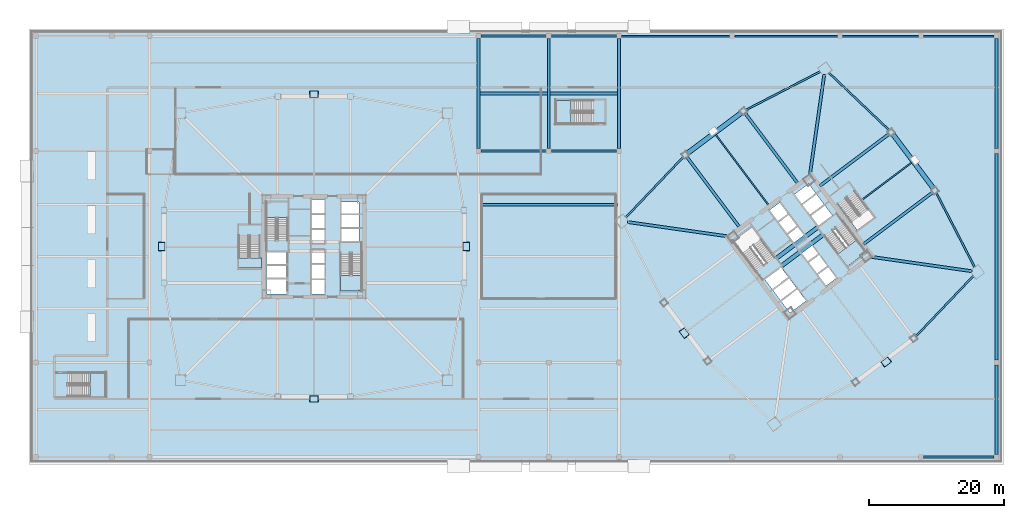
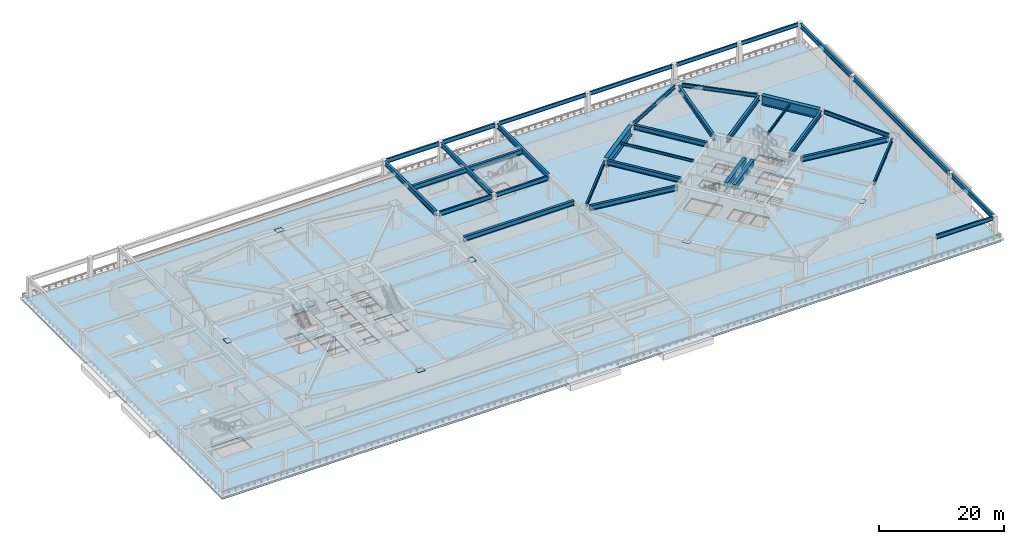
# One storey, part 4 of 21: 35 beams, 12 plates, 7 slabs, 6 elements without a shape of their own.
"""IFC4 building model written with IfcOpenShell, lengths in metres."""

from ifc_helpers import new_model, si_unit, direction, frame, origin, origin_2d, place, context, subcontext, project, spatial, polyline, rectangle, i_section, outline, extrude, material, layer, layer_set, material_profile, profile_set, type_object, element, aggregate, save


model = new_model("IFC4")

# Units and contexts
model_context = context("Model", 3, precision=1e-05, world=origin(), true_north=direction((0.0, 1.0)))
body_context = subcontext(model_context, "Body", "Model", "MODEL_VIEW")
ifc_project = project(units=[si_unit("LENGTHUNIT", "METRE"), si_unit("AREAUNIT", "SQUARE_METRE"), si_unit("VOLUMEUNIT", "CUBIC_METRE"), si_unit("PLANEANGLEUNIT", "RADIAN"), si_unit("MASSUNIT", "GRAM", prefix="KILO")], contexts=[model_context])

# Site, building, storey
site_placement = place(None, origin())
site = spatial("IfcSite", under=ifc_project, at=site_placement, CompositionType="ELEMENT")
building_placement = place(site_placement, origin())
building = spatial("IfcBuilding", under=site, at=building_placement, Name="Tashvorn Skyway Center", CompositionType="ELEMENT")
storey_placement = place(building_placement, frame((0.0, 0.0, 19.800048828125)))
storey = spatial("IfcBuildingStorey", under=building, at=storey_placement, Name="L04", CompositionType="ELEMENT", Elevation=19.800048828125)

# Beams
ifc_material_1 = material(Name="Steel ASTM A572 Grade 50", Category="steel")
ifc_material_profile_1 = material_profile(ifc_material_1, i_section(OverallWidth=0.699951171875, OverallDepth=1.800048828125, WebThickness=0.031982421875, FlangeThickness=0.050048828125, at=origin_2d()), Name="PG1800x700")
ifc_profile_set_1 = profile_set([ifc_material_profile_1], Name="Steel ASTM A572 Grade 50")
beam_type_1 = type_object("IfcBeamType", Name="BM-BEAM-PG1800x700", PredefinedType="BEAM", material=ifc_profile_set_1)
for number, where, z_axis, x_axis, name in (
    (1, (133.827880859375, 40.64599609375, 3.699951171875), (-0.599988234018, 0.800008824351, 0.0), (-0.800008824351, -0.599988234018, 0.0), "Tower 2 L04 Spandrel Beam 05"),
    (2, (105.35400390625, 51.827880859375, 3.699951171875), (-0.800008824351, -0.599988234018, 0.0), (0.599988234018, -0.800008824351, 0.0), "Tower 2 L04 Spandrel Beam 08"),
):
    element("IfcBeam", number, at=place(storey_placement, frame(where, z_axis=z_axis, x_axis=x_axis)), inside=storey, type_object=beam_type_1, Name=name, PredefinedType="BEAM", context=body_context, shape_type="SweptSolid", body=[
        extrude(i_section(OverallWidth=0.699951171875, OverallDepth=1.800048828125, WebThickness=0.031982421875, FlangeThickness=0.050048828125, at=origin_2d()), origin(), (0.0, 0.0, 1.0), 9.9599609375),
    ])
ifc_material_2 = material(Name="Steel ASTM A992 Grade 50", Category="steel")
ifc_material_profile_2 = material_profile(ifc_material_2, i_section(OverallWidth=0.26708984375, OverallDepth=0.779052734375, WebThickness=0.0166015625, FlangeThickness=0.030029296875, at=origin_2d()), Name="W30X148")
ifc_profile_set_2 = profile_set([ifc_material_profile_2], Name="Steel ASTM A992 Grade 50")
beam_type_2 = type_object("IfcBeamType", Name="BM-BEAM-W30X148", PredefinedType="BEAM", material=ifc_profile_set_2)
beam_1_placement = place(storey_placement, frame((87.580078125, 63.199951171875, 4.21044921875), z_axis=(1.0, 0.0, 0.0), x_axis=(0.0, 1.0, 0.0)))
element("IfcBeam", 3, at=beam_1_placement, inside=storey, type_object=beam_type_2, Name="L04 East Podium Edge Girder N1", PredefinedType="BEAM", context=body_context, shape_type="SweptSolid", body=[
    extrude(i_section(OverallWidth=0.26708984375, OverallDepth=0.779052734375, WebThickness=0.0166015625, FlangeThickness=0.030029296875, at=origin_2d()), origin(), (0.0, 0.0, 1.0), 16.0400390625),
])
beam_2_placement = place(storey_placement, frame((104.3798828125, 63.199951171875, 4.21044921875), z_axis=(1.0, 0.0, 0.0), x_axis=(0.0, 1.0, 0.0)))
element("IfcBeam", 4, at=beam_2_placement, inside=storey, type_object=beam_type_2, Name="L04 East Podium Edge Girder N2", PredefinedType="BEAM", context=body_context, shape_type="SweptSolid", body=[
    extrude(i_section(OverallWidth=0.26708984375, OverallDepth=0.779052734375, WebThickness=0.0166015625, FlangeThickness=0.030029296875, at=origin_2d()), origin(), (0.0, 0.0, 1.0), 15.240234375),
])
beam_3_placement = place(storey_placement, frame((120.3798828125, 63.199951171875, 4.21044921875), z_axis=(1.0, 0.0, 0.0), x_axis=(0.0, 1.0, 0.0)))
element("IfcBeam", 5, at=beam_3_placement, inside=storey, type_object=beam_type_2, Name="L04 East Podium Edge Girder N3", PredefinedType="BEAM", context=body_context, shape_type="SweptSolid", body=[
    extrude(i_section(OverallWidth=0.26708984375, OverallDepth=0.779052734375, WebThickness=0.0166015625, FlangeThickness=0.030029296875, at=origin_2d()), origin(), (0.0, 0.0, 1.0), 11.240234375),
])
for number, where, z_axis, x_axis, name in (
    (6, (132.3798828125, 0.800048828125, 4.21044921875), (1.0, 0.0, 0.0), (0.0, 1.0, 0.0), "L04 East Podium Edge Girder S4"),
    (7, (132.3798828125, 63.199951171875, 4.21044921875), (1.0, 0.0, 0.0), (0.0, 1.0, 0.0), "L04 East Podium Edge Girder N4"),
):
    element("IfcBeam", number, at=place(storey_placement, frame(where, z_axis=z_axis, x_axis=x_axis)), inside=storey, type_object=beam_type_2, Name=name, PredefinedType="BEAM", context=body_context, shape_type="SweptSolid", body=[
        extrude(i_section(OverallWidth=0.26708984375, OverallDepth=0.779052734375, WebThickness=0.0166015625, FlangeThickness=0.030029296875, at=origin_2d()), origin(), (0.0, 0.0, 1.0), 10.440185546875),
    ])
ifc_material_profile_3 = material_profile(ifc_material_2, i_section(OverallWidth=0.2919921875, OverallDepth=0.85888671875, WebThickness=0.01708984375, FlangeThickness=0.031005859375, at=origin_2d()), Name="W33X169")
ifc_profile_set_3 = profile_set([ifc_material_profile_3], Name="Steel ASTM A992 Grade 50")
beam_type_3 = type_object("IfcBeamType", Name="BM-BEAM-W33X169", PredefinedType="BEAM", material=ifc_profile_set_3)
beam_4_placement = place(storey_placement, frame((66.77001953125, 46.199951171875, 4.17041015625), z_axis=(1.0, 0.0, 0.0), x_axis=(0.0, 1.0, 0.0)))
element("IfcBeam", 8, at=beam_4_placement, inside=storey, type_object=beam_type_3, Name="L04 Central Podium Girder A 07", PredefinedType="BEAM", context=body_context, shape_type="SweptSolid", body=[
    extrude(i_section(OverallWidth=0.2919921875, OverallDepth=0.85888671875, WebThickness=0.01708984375, FlangeThickness=0.031005859375, at=origin_2d()), origin(), (0.0, 0.0, 1.0), 9.659912109375),
])
beam_5_placement = place(storey_placement, frame((77.169921875, 46.199951171875, 4.17041015625), z_axis=(1.0, 0.0, 0.0), x_axis=(0.0, 1.0, 0.0)))
element("IfcBeam", 9, at=beam_5_placement, inside=storey, type_object=beam_type_3, Name="L04 Central Podium Girder B 07", PredefinedType="BEAM", context=body_context, shape_type="SweptSolid", body=[
    extrude(i_section(OverallWidth=0.2919921875, OverallDepth=0.85888671875, WebThickness=0.01708984375, FlangeThickness=0.031005859375, at=origin_2d()), origin(), (0.0, 0.0, 1.0), 9.66015625),
])
beam_6_placement = place(storey_placement, frame((66.77001953125, 63.199951171875, 4.17041015625), z_axis=(1.0, 0.0, 0.0), x_axis=(0.0, 1.0, 0.0)))
element("IfcBeam", 10, at=beam_6_placement, inside=storey, type_object=beam_type_3, Name="L04 Central Podium Girder A 09", PredefinedType="BEAM", context=body_context, shape_type="SweptSolid", body=[
    extrude(i_section(OverallWidth=0.2919921875, OverallDepth=0.85888671875, WebThickness=0.01708984375, FlangeThickness=0.031005859375, at=origin_2d()), origin(), (0.0, 0.0, 1.0), 9.659912109375),
])
beam_7_placement = place(storey_placement, frame((77.169921875, 63.199951171875, 4.17041015625), z_axis=(1.0, 0.0, 0.0), x_axis=(0.0, 1.0, 0.0)))
element("IfcBeam", 11, at=beam_7_placement, inside=storey, type_object=beam_type_3, Name="L04 Central Podium Girder B 09", PredefinedType="BEAM", context=body_context, shape_type="SweptSolid", body=[
    extrude(i_section(OverallWidth=0.2919921875, OverallDepth=0.85888671875, WebThickness=0.01708984375, FlangeThickness=0.031005859375, at=origin_2d()), origin(), (0.0, 0.0, 1.0), 9.66015625),
])
ifc_material_3 = material(Name="Steel ASTM A913 Grade 65", Category="steel")
ifc_material_profile_4 = material_profile(ifc_material_3, i_section(OverallWidth=0.4189453125, OverallDepth=0.927001953125, WebThickness=0.019287109375, FlangeThickness=0.031982421875, at=origin_2d()), Name="W36X231")
ifc_profile_set_4 = profile_set([ifc_material_profile_4], Name="Steel ASTM A913 Grade 65")
beam_type_4 = type_object("IfcBeamType", Name="BM-BEAM-W36X231", PredefinedType="BEAM", material=ifc_profile_set_4)
for number, where, z_axis, x_axis, name in (
    (12, (139.532958984375, 28.3525390625, 4.136474609375), (-0.989950458816, 0.141414599991, 0.0), (-0.141414599991, -0.989950458816, 0.0), "Tower 2 L04 Primary Floor Girder MC-SE"),
    (13, (117.6474609375, 57.532958984375, 4.136474609375), (-0.141414599991, -0.989950458816, 0.0), (0.989950458816, -0.141414599991, 0.0), "Tower 2 L04 Primary Floor Girder MC-NE"),
    (14, (88.467041015625, 35.6474609375, 4.136474609375), (0.989950458816, -0.141414599991, 0.0), (0.141414599991, 0.989950458816, 0.0), "Tower 2 L04 Primary Floor Girder MC-NW"),
):
    element("IfcBeam", number, at=place(storey_placement, frame(where, z_axis=z_axis, x_axis=x_axis)), inside=storey, type_object=beam_type_4, Name=name, PredefinedType="BEAM", context=body_context, shape_type="SweptSolid", body=[
        extrude(i_section(OverallWidth=0.4189453125, OverallDepth=0.927001953125, WebThickness=0.019287109375, FlangeThickness=0.031982421875, at=origin_2d()), origin(), (0.0, 0.0, 1.0), 15.177001953125),
    ])
beam_8_placement = place(storey_placement, frame((133.743896484375, 40.05810546875, 4.136474609375), z_axis=(-0.799986320265, -0.600018239213, 0.0), x_axis=(0.600018239213, -0.799986320265, 0.0)))
element("IfcBeam", 15, at=beam_8_placement, inside=storey, type_object=beam_type_4, Name="Tower 2 L04 Primary Floor Girder FC-E1", PredefinedType="BEAM", context=body_context, shape_type="SweptSolid", body=[
    extrude(i_section(OverallWidth=0.4189453125, OverallDepth=0.927001953125, WebThickness=0.019287109375, FlangeThickness=0.031982421875, at=origin_2d()), origin(), (0.0, 0.0, 1.0), 12.849853515625),
])
beam_9_placement = place(storey_placement, frame((127.263916015625, 48.697998046875, 4.136474609375), z_axis=(-0.800002279907, -0.599996960112, 0.0), x_axis=(0.599996960112, -0.800002279907, 0.0)))
element("IfcBeam", 16, at=beam_9_placement, inside=storey, type_object=beam_type_4, Name="Tower 2 L04 Primary Floor Girder FC-E2", PredefinedType="BEAM", context=body_context, shape_type="SweptSolid", body=[
    extrude(i_section(OverallWidth=0.4189453125, OverallDepth=0.927001953125, WebThickness=0.019287109375, FlangeThickness=0.031982421875, at=origin_2d()), origin(), (0.0, 0.0, 1.0), 12.85009765625),
])
beam_10_placement = place(storey_placement, frame((105.94189453125, 51.743896484375, 4.136474609375), z_axis=(0.600018239213, -0.799986320265, 0.0), x_axis=(0.799986320265, 0.600018239213, 0.0)))
element("IfcBeam", 17, at=beam_10_placement, inside=storey, type_object=beam_type_4, Name="Tower 2 L04 Primary Floor Girder FC-N1", PredefinedType="BEAM", context=body_context, shape_type="SweptSolid", body=[
    extrude(i_section(OverallWidth=0.4189453125, OverallDepth=0.927001953125, WebThickness=0.019287109375, FlangeThickness=0.031982421875, at=origin_2d()), origin(), (0.0, 0.0, 1.0), 12.849853515625),
])
beam_11_placement = place(storey_placement, frame((97.302001953125, 45.263916015625, 4.136474609375), z_axis=(0.599996960112, -0.800002279907, 0.0), x_axis=(0.800002279907, 0.599996960112, 0.0)))
element("IfcBeam", 18, at=beam_11_placement, inside=storey, type_object=beam_type_4, Name="Tower 2 L04 Primary Floor Girder FC-N2", PredefinedType="BEAM", context=body_context, shape_type="SweptSolid", body=[
    extrude(i_section(OverallWidth=0.4189453125, OverallDepth=0.927001953125, WebThickness=0.019287109375, FlangeThickness=0.031982421875, at=origin_2d()), origin(), (0.0, 0.0, 1.0), 12.85009765625),
])
for number, where, z_axis, x_axis, name in (
    (19, (66.39990234375, 46.570068359375, 4.136474609375), (0.0, 1.0, 0.0), (-1.0, 0.0, 0.0), "L04 North-South Podium Girder 03-N"),
    (20, (76.800048828125, 46.570068359375, 4.136474609375), (0.0, 1.0, 0.0), (-1.0, 0.0, 0.0), "L04 North-South Podium Girder 04-N"),
    (21, (87.199951171875, 46.570068359375, 4.136474609375), (0.0, 1.0, 0.0), (-1.0, 0.0, 0.0), "L04 North-South Podium Girder 05-N"),
):
    element("IfcBeam", number, at=place(storey_placement, frame(where, z_axis=z_axis, x_axis=x_axis)), inside=storey, type_object=beam_type_4, Name=name, PredefinedType="BEAM", context=body_context, shape_type="SweptSolid", body=[
        extrude(i_section(OverallWidth=0.4189453125, OverallDepth=0.927001953125, WebThickness=0.019287109375, FlangeThickness=0.031982421875, at=origin_2d()), origin(), (0.0, 0.0, 1.0), 16.260009765625),
    ])
beam_12_placement = place(storey_placement, frame((143.199951171875, 1.169921875, 4.136474609375), z_axis=(0.0, 1.0, 0.0), x_axis=(-1.0, 0.0, 0.0)))
element("IfcBeam", 22, at=beam_12_placement, inside=storey, type_object=beam_type_4, Name="L04 North-South Podium Girder 06-S", PredefinedType="BEAM", context=body_context, shape_type="SweptSolid", body=[
    extrude(i_section(OverallWidth=0.4189453125, OverallDepth=0.927001953125, WebThickness=0.019287109375, FlangeThickness=0.031982421875, at=origin_2d()), origin(), (0.0, 0.0, 1.0), 13.260009765625),
])
beam_13_placement = place(storey_placement, frame((143.199951171875, 15.169921875, 4.136474609375), z_axis=(0.0, 1.0, 0.0), x_axis=(-1.0, 0.0, 0.0)))
element("IfcBeam", 23, at=beam_13_placement, inside=storey, type_object=beam_type_4, Name="L04 North-South Podium Girder 06-M", PredefinedType="BEAM", context=body_context, shape_type="SweptSolid", body=[
    extrude(i_section(OverallWidth=0.4189453125, OverallDepth=0.927001953125, WebThickness=0.019287109375, FlangeThickness=0.031982421875, at=origin_2d()), origin(), (0.0, 0.0, 1.0), 30.66015625),
])
beam_14_placement = place(storey_placement, frame((143.199951171875, 46.570068359375, 4.136474609375), z_axis=(0.0, 1.0, 0.0), x_axis=(-1.0, 0.0, 0.0)))
element("IfcBeam", 24, at=beam_14_placement, inside=storey, type_object=beam_type_4, Name="L04 North-South Podium Girder 06-N", PredefinedType="BEAM", context=body_context, shape_type="SweptSolid", body=[
    extrude(i_section(OverallWidth=0.4189453125, OverallDepth=0.927001953125, WebThickness=0.019287109375, FlangeThickness=0.031982421875, at=origin_2d()), origin(), (0.0, 0.0, 1.0), 16.260009765625),
])
for number, where, z_axis, x_axis, name in (
    (25, (66.6015625, 38.199951171875, 4.136474609375), (1.0, 0.0, 0.0), (0.0, 1.0, 0.0), "L04 Central Concourse Span Girder 06"),
    (26, (66.6015625, 54.699951171875, 4.136474609375), (1.0, 0.0, 0.0), (0.0, 1.0, 0.0), "L04 Central Concourse Span Girder 08"),
):
    element("IfcBeam", number, at=place(storey_placement, frame(where, z_axis=z_axis, x_axis=x_axis)), inside=storey, type_object=beam_type_4, Name=name, PredefinedType="BEAM", context=body_context, shape_type="SweptSolid", body=[
        extrude(i_section(OverallWidth=0.4189453125, OverallDepth=0.927001953125, WebThickness=0.019287109375, FlangeThickness=0.031982421875, at=origin_2d()), origin(), (0.0, 0.0, 1.0), 20.39697265625),
    ])
ifc_material_profile_5 = material_profile(ifc_material_2, i_section(OverallWidth=0.19091796875, OverallDepth=0.4599609375, WebThickness=0.010009765625, FlangeThickness=0.01611328125, at=origin_2d()), Name="W18X55")
ifc_profile_set_5 = profile_set([ifc_material_profile_5], Name="Steel ASTM A992 Grade 50")
beam_type_5 = type_object("IfcBeamType", Name="BM-JOIST-W18X55", PredefinedType="JOIST", material=ifc_profile_set_5)
beam_15_placement = place(storey_placement, frame((109.325927734375, 38.23193359375, 4.369873046875), z_axis=(-0.599993952228, 0.800004535793, 0.0), x_axis=(-0.800004535793, -0.599993952228, 0.0)))
element("IfcBeam", 27, at=beam_15_placement, inside=storey, type_object=beam_type_5, Name="Tower 2 L04 Secondary Composite Joist JN", PredefinedType="JOIST", context=body_context, shape_type="SweptSolid", body=[
    extrude(i_section(OverallWidth=0.19091796875, OverallDepth=0.4599609375, WebThickness=0.010009765625, FlangeThickness=0.01611328125, at=origin_2d()), origin(), (0.0, 0.0, 1.0), 12.91796875),
])
beam_16_placement = place(storey_placement, frame((123.3359375, 39.001953125, 4.369873046875), z_axis=(0.8, 0.6, 0.0), x_axis=(-0.6, 0.8, 0.0)))
element("IfcBeam", 28, at=beam_16_placement, inside=storey, type_object=beam_type_5, Name="Tower 2 L04 Secondary Composite Joist JE", PredefinedType="JOIST", context=body_context, shape_type="SweptSolid", body=[
    extrude(i_section(OverallWidth=0.19091796875, OverallDepth=0.4599609375, WebThickness=0.010009765625, FlangeThickness=0.01611328125, at=origin_2d()), origin(), (0.0, 0.0, 1.0), 9.0380859375),
])
ifc_material_4 = material(Name="Concrete C60/75", Category="concrete")
ifc_material_profile_6 = material_profile(ifc_material_4, rectangle(XDim=0.60009765625, YDim=0.949951171875, at=origin_2d()), Name="RCB600x950")
ifc_profile_set_6 = profile_set([ifc_material_profile_6], Name="Concrete C60/75")
beam_type_6 = type_object("IfcBeamType", Name="BM-LINTEL-RCB600x950", PredefinedType="LINTEL", material=ifc_profile_set_6)
for number, where, z_axis, x_axis, name in (
    (29, (110.552001953125, 30.263916015625, 4.125), (0.8, 0.6, 0.0), (-0.6, 0.8, 0.0), "Tower 2 L04 Core Coupling Beam CN"),
    (30, (111.367919921875, 29.176025390625, 4.125), (0.8, 0.6, 0.0), (-0.6, 0.8, 0.0), "Tower 2 L04 Core Coupling Beam CS"),
):
    element("IfcBeam", number, at=place(storey_placement, frame(where, z_axis=z_axis, x_axis=x_axis)), inside=storey, type_object=beam_type_6, Name=name, PredefinedType="LINTEL", context=body_context, shape_type="SweptSolid", body=[
        extrude(rectangle(XDim=0.60009765625, YDim=0.949951171875, at=origin_2d()), origin(), (0.0, 0.0, 1.0), 7.60009765625),
    ])
ifc_material_profile_7 = material_profile(ifc_material_2, i_section(OverallWidth=0.256103515625, OverallDepth=0.693115234375, WebThickness=0.014404296875, FlangeThickness=0.023681640625, at=origin_2d()), Name="W27X114")
ifc_profile_set_7 = profile_set([ifc_material_profile_7], Name="Steel ASTM A992 Grade 50")
beam_type_7 = type_object("IfcBeamType", Name="BM-SPANDREL-W27X114", PredefinedType="SPANDREL", material=ifc_profile_set_7)
for number, where, z_axis, x_axis, name in (
    (31, (131.23974609375, 18.7041015625, 4.25341796875), (0.689589637236, 0.724200339835, 0.0), (-0.724200339835, 0.689589637236, 0.0), "Tower 2 L04 Spandrel Beam 03"),
    (32, (139.954833984375, 28.9462890625, 4.25341796875), (-0.459233413919, 0.888315637339, 0.0), (-0.888315637339, -0.459233413919, 0.0), "Tower 2 L04 Spandrel Beam 04"),
    (33, (127.2958984375, 49.23974609375, 4.25341796875), (-0.724200339835, 0.689589637236, 0.0), (-0.689589637236, -0.724200339835, 0.0), "Tower 2 L04 Spandrel Beam 06"),
    (34, (117.0537109375, 57.954833984375, 4.25341796875), (-0.888315637339, -0.459233413919, 0.0), (0.459233413919, -0.888315637339, 0.0), "Tower 2 L04 Spandrel Beam 07"),
    (35, (96.76025390625, 45.2958984375, 4.25341796875), (-0.689589637236, -0.724200339835, 0.0), (0.724200339835, -0.689589637236, 0.0), "Tower 2 L04 Spandrel Beam 09"),
):
    element("IfcBeam", number, at=place(storey_placement, frame(where, z_axis=z_axis, x_axis=x_axis)), inside=storey, type_object=beam_type_7, Name=name, PredefinedType="SPANDREL", context=body_context, shape_type="SweptSolid", body=[
        extrude(i_section(OverallWidth=0.256103515625, OverallDepth=0.693115234375, WebThickness=0.014404296875, FlangeThickness=0.023681640625, at=origin_2d()), origin(), (0.0, 0.0, 1.0), 12.37255859375),
    ])

# Plates
ifc_layer_1 = layer(ifc_material_1, 0.034912109375)
ifc_layer_set_1 = layer_set([ifc_layer_1], Name="Steel ASTM A572 Grade 50")
plate_type_1 = type_object("IfcPlateType", Name="PLT-CAP-35", PredefinedType="USERDEFINED", material=ifc_layer_set_1)
for number, where, z_axis, x_axis, name in (
    (36, (42.0, 9.419921875, 4.50732421875), (0.0, 0.0, 1.0), (1.0, 0.0, 0.0), "Tower 1 Zone 1 S Hollow-Section End Cap Plate"),
    (37, (64.580078125, 32.0, 4.50732421875), (0.0, 0.0, 1.0), (0.0, 1.0, 0.0), "Tower 1 Zone 1 E Hollow-Section End Cap Plate"),
    (38, (42.0, 54.580078125, 4.50732421875), (0.0, 0.0, 1.0), (-1.0, 0.0, 0.0), "Tower 1 Zone 1 N Hollow-Section End Cap Plate"),
    (39, (19.419921875, 32.0, 4.50732421875), (0.0, 0.0, 1.0), (0.0, -1.0, 0.0), "Tower 1 Zone 1 W Hollow-Section End Cap Plate"),
    (40, (126.827880859375, 14.89599609375, 4.50732421875), (0.0, 0.0, 1.0), (0.799999996291, 0.600000004945, 0.0), "Tower 2 Zone 1 S Hollow-Section End Cap Plate"),
    (41, (96.89599609375, 19.172119140625, 4.50732421875), (0.0, 0.0, 1.0), (0.600000004945, -0.799999996291, 0.0), "Tower 2 Zone 1 W Hollow-Section End Cap Plate"),
):
    element("IfcPlate", number, at=place(storey_placement, frame(where, z_axis=z_axis, x_axis=x_axis)), inside=storey, type_object=plate_type_1, Name=name, ObjectType="END PLATE", PredefinedType="USERDEFINED", context=body_context, shape_type="SweptSolid", body=[
        extrude(rectangle(XDim=1.199951171875, YDim=0.919921875, at=origin_2d()), origin(), (0.0, 0.0, 1.0), 0.034912109375),
    ])
ifc_layer_2 = layer(ifc_material_1, 0.044921875)
ifc_layer_set_2 = layer_set([ifc_layer_2], Name="Steel ASTM A572 Grade 50")
plate_type_2 = type_object("IfcPlateType", Name="PLT-GUSSET-45", PredefinedType="USERDEFINED", material=ifc_layer_set_2)
for number, where, z_axis, x_axis, name in (
    (42, (42.0, 9.419921875, 4.54248046875), (0.0, 0.0, 1.0), (1.0, 0.0, 0.0), "Tower 1 Zone 1 S Apex Node Gusset Plate"),
    (43, (64.580078125, 32.0, 4.54248046875), (0.0, 0.0, 1.0), (0.0, 1.0, 0.0), "Tower 1 Zone 1 E Apex Node Gusset Plate"),
    (44, (42.0, 54.580078125, 4.54248046875), (0.0, 0.0, 1.0), (-1.0, 0.0, 0.0), "Tower 1 Zone 1 N Apex Node Gusset Plate"),
    (45, (19.419921875, 32.0, 4.54248046875), (0.0, 0.0, 1.0), (0.0, -1.0, 0.0), "Tower 1 Zone 1 W Apex Node Gusset Plate"),
    (46, (126.827880859375, 14.89599609375, 4.54248046875), (0.0, 0.0, 1.0), (0.799999996291, 0.600000004945, 0.0), "Tower 2 Zone 1 S Apex Node Gusset Plate"),
    (47, (96.89599609375, 19.172119140625, 4.54248046875), (0.0, 0.0, 1.0), (0.600000004945, -0.799999996291, 0.0), "Tower 2 Zone 1 W Apex Node Gusset Plate"),
):
    element("IfcPlate", number, at=place(storey_placement, frame(where, z_axis=z_axis, x_axis=x_axis)), inside=storey, type_object=plate_type_2, Name=name, ObjectType="GUSSET PLATE", PredefinedType="USERDEFINED", context=body_context, shape_type="SweptSolid", body=[
        extrude(rectangle(XDim=1.35009765625, YDim=0.949951171875, at=origin_2d()), origin(), (0.0, 0.0, 1.0), 0.044921875),
    ])

# Slab
ifc_material_5 = material(Name="Concrete C50/60", Category="concrete")
ifc_layer_3 = layer(ifc_material_5, 0.300048828125)
ifc_layer_set_3 = layer_set([ifc_layer_3], Name="Concrete C50/60")
slab_type_1 = type_object("IfcSlabType", Name="SLAB-FLR-300", PredefinedType="FLOOR", material=ifc_layer_set_3)
slab_1_placement = place(storey_placement, frame((0.0, 0.0, -0.300048828125)))
element("IfcSlab", 48, at=slab_1_placement, inside=storey, type_object=slab_type_1, Name="L04 Podium Composite Structural Floor Slab", PredefinedType="FLOOR", context=body_context, shape_type="SweptSolid", body=[
    extrude(outline(polyline([(0.0, 0.0), (144.0, 0.0), (144.0, 64.0), (0.0, 64.0), (0.0, 0.0)]), holes=[polyline([(38.10009765625, 33.080078125), (38.10009765625, 38.60009765625), (34.89990234375, 38.60009765625), (34.89990234375, 33.080078125), (38.10009765625, 33.080078125)]), polyline([(45.89990234375, 30.919921875), (45.89990234375, 25.39990234375), (49.10009765625, 25.39990234375), (49.10009765625, 30.919921875), (45.89990234375, 30.919921875)]), polyline([(110.23193359375, 30.52392578125), (106.919921875, 34.93994140625), (104.135986328125, 32.85205078125), (107.447998046875, 28.43603515625), (110.23193359375, 30.52392578125)]), polyline([(117.76806640625, 33.47607421875), (121.080078125, 29.06005859375), (123.864013671875, 31.14794921875), (120.552001953125, 35.56396484375), (117.76806640625, 33.47607421875)]), polyline([(30.800048828125, 33.52001953125), (30.800048828125, 28.800048828125), (34.0, 28.800048828125), (34.0, 33.52001953125), (30.800048828125, 33.52001953125)]), polyline([(119.7119140625, 38.18408203125), (122.5439453125, 34.407958984375), (125.10400390625, 36.327880859375), (122.27197265625, 40.10400390625), (119.7119140625, 38.18408203125)]), polyline([(5.610107421875, 9.800048828125), (11.10009765625, 9.800048828125), (11.10009765625, 13.300048828125), (5.610107421875, 13.300048828125), (5.610107421875, 9.800048828125)]), polyline([(83.2900390625, 53.699951171875), (77.800048828125, 53.699951171875), (77.800048828125, 50.199951171875), (83.2900390625, 50.199951171875), (83.2900390625, 53.699951171875)]), polyline([(34.949951171875, 29.35009765625), (37.949951171875, 29.35009765625), (37.949951171875, 31.199951171875), (34.949951171875, 31.199951171875), (34.949951171875, 29.35009765625)]), polyline([(34.949951171875, 27.35009765625), (37.949951171875, 27.35009765625), (37.949951171875, 29.199951171875), (34.949951171875, 29.199951171875), (34.949951171875, 27.35009765625)]), polyline([(34.949951171875, 25.0), (37.949951171875, 25.0), (37.949951171875, 27.14990234375), (34.949951171875, 27.14990234375), (34.949951171875, 25.0)]), polyline([(41.64990234375, 25.0), (43.550048828125, 25.0), (43.550048828125, 27.050048828125), (41.64990234375, 27.050048828125), (41.64990234375, 25.0)]), polyline([(41.64990234375, 27.25), (43.550048828125, 27.25), (43.550048828125, 29.300048828125), (41.64990234375, 29.300048828125), (41.64990234375, 27.25)]), polyline([(41.64990234375, 29.5), (43.550048828125, 29.5), (43.550048828125, 31.550048828125), (41.64990234375, 31.550048828125), (41.64990234375, 29.5)]), polyline([(41.64990234375, 32.449951171875), (43.550048828125, 32.449951171875), (43.550048828125, 34.5), (41.64990234375, 34.5), (41.64990234375, 32.449951171875)]), polyline([(41.64990234375, 34.699951171875), (43.550048828125, 34.699951171875), (43.550048828125, 36.75), (41.64990234375, 36.75), (41.64990234375, 34.699951171875)]), polyline([(41.64990234375, 36.949951171875), (43.550048828125, 36.949951171875), (43.550048828125, 39.0), (41.64990234375, 39.0), (41.64990234375, 36.949951171875)]), polyline([(46.050048828125, 32.800048828125), (48.64990234375, 32.800048828125), (48.64990234375, 34.64990234375), (46.050048828125, 34.64990234375), (46.050048828125, 32.800048828125)]), polyline([(46.050048828125, 34.85009765625), (48.64990234375, 34.85009765625), (48.64990234375, 36.699951171875), (46.050048828125, 36.699951171875), (46.050048828125, 34.85009765625)]), polyline([(46.050048828125, 36.89990234375), (48.64990234375, 36.89990234375), (48.64990234375, 38.64990234375), (46.050048828125, 38.64990234375), (46.050048828125, 36.89990234375)]), polyline([(109.949951171875, 25.64990234375), (112.35009765625, 27.449951171875), (111.239990234375, 28.929931640625), (108.840087890625, 27.1298828125), (109.949951171875, 25.64990234375)]), polyline([(111.14990234375, 24.050048828125), (113.550048828125, 25.85009765625), (112.43994140625, 27.330078125), (110.0400390625, 25.530029296875), (111.14990234375, 24.050048828125)]), polyline([(112.56005859375, 22.169921875), (114.9599609375, 23.969970703125), (113.669921875, 25.68994140625), (111.27001953125, 23.889892578125), (112.56005859375, 22.169921875)]), polyline([(117.919921875, 26.18994140625), (119.43994140625, 27.330078125), (118.2099609375, 28.969970703125), (116.68994140625, 27.830078125), (117.919921875, 26.18994140625)]), polyline([(116.570068359375, 27.989990234375), (118.090087890625, 29.1298828125), (116.860107421875, 30.77001953125), (115.340087890625, 29.6298828125), (116.570068359375, 27.989990234375)]), polyline([(115.219970703125, 29.7900390625), (116.739990234375, 30.929931640625), (115.510009765625, 32.570068359375), (113.989990234375, 31.429931640625), (115.219970703125, 29.7900390625)]), polyline([(113.449951171875, 32.14990234375), (114.969970703125, 33.2900390625), (113.739990234375, 34.929931640625), (112.219970703125, 33.7900390625), (113.449951171875, 32.14990234375)]), polyline([(112.10009765625, 33.949951171875), (113.6201171875, 35.090087890625), (112.389892578125, 36.72998046875), (110.8701171875, 35.590087890625), (112.10009765625, 33.949951171875)]), polyline([(110.75, 35.75), (112.27001953125, 36.889892578125), (111.0400390625, 38.530029296875), (109.52001953125, 37.389892578125), (110.75, 35.75)]), polyline([(116.760009765625, 35.070068359375), (118.840087890625, 36.6298828125), (117.72998046875, 38.110107421875), (115.64990234375, 36.550048828125), (116.760009765625, 35.070068359375)]), polyline([(115.530029296875, 36.7099609375), (117.610107421875, 38.27001953125), (116.5, 39.75), (114.419921875, 38.18994140625), (115.530029296875, 36.7099609375)]), polyline([(114.300048828125, 38.35009765625), (116.3798828125, 39.909912109375), (115.330078125, 41.31005859375), (113.25, 39.75), (114.300048828125, 38.35009765625)])]), origin(), (0.0, 0.0, 1.0), 0.300048828125),
])

# Stair, slab
ifc_material_6 = material(Name="Concrete C40/50", Category="concrete")
stair_type_1 = type_object("IfcStairType", Name="STAIR-CORE-1500", PredefinedType="HALF_TURN_STAIR", material=ifc_material_6)
stair_1_placement = place(storey_placement, origin())
stair_1 = element("IfcStair", 49, at=stair_1_placement, inside=storey, type_object=stair_type_1, Name="L04 Tower 1 Exit Stair 1", PredefinedType="HALF_TURN_STAIR")
ifc_layer_4 = layer(ifc_material_6, 0.199951171875)
ifc_layer_set_4 = layer_set([ifc_layer_4], Name="Concrete C40/50")
slab_type_2 = type_object("IfcSlabType", Name="SLAB-LAND-200", PredefinedType="LANDING", material=ifc_layer_set_4)
slab_2_placement = place(storey_placement, frame((0.0, 0.0, 2.199951171875)))
slab_2 = element("IfcSlab", 50, at=slab_2_placement, type_object=slab_type_2, Name="ST-T1-1 landing 1", PredefinedType="LANDING", context=body_context, shape_type="SweptSolid", body=[
    extrude(outline(polyline([(38.10009765625, 36.280029296875), (38.10009765625, 38.60009765625), (34.89990234375, 38.60009765625), (34.89990234375, 36.280029296875), (38.10009765625, 36.280029296875)])), origin(), (0.0, 0.0, 1.0), 0.199951171875),
])
aggregate(stair_1, [slab_2])

stair_2_placement = place(storey_placement, origin())
stair_2 = element("IfcStair", 51, at=stair_2_placement, inside=storey, type_object=stair_type_1, Name="L04 Tower 1 Exit Stair 2", PredefinedType="HALF_TURN_STAIR")
slab_3_placement = place(storey_placement, frame((0.0, 0.0, 2.199951171875)))
slab_3 = element("IfcSlab", 52, at=slab_3_placement, type_object=slab_type_2, Name="ST-T1-2 landing 1", PredefinedType="LANDING", context=body_context, shape_type="SweptSolid", body=[
    extrude(outline(polyline([(45.89990234375, 27.719970703125), (45.89990234375, 25.39990234375), (49.10009765625, 25.39990234375), (49.10009765625, 27.719970703125), (45.89990234375, 27.719970703125)])), origin(), (0.0, 0.0, 1.0), 0.199951171875),
])
aggregate(stair_2, [slab_3])

stair_3_placement = place(storey_placement, origin())
stair_3 = element("IfcStair", 53, at=stair_3_placement, inside=storey, type_object=stair_type_1, Name="L04 Tower 2 Exit Stair 2", PredefinedType="HALF_TURN_STAIR")
slab_4_placement = place(storey_placement, frame((0.0, 0.0, 2.199951171875)))
slab_4 = element("IfcSlab", 54, at=slab_4_placement, type_object=slab_type_2, Name="ST-T2-2 landing 1", PredefinedType="LANDING", context=body_context, shape_type="SweptSolid", body=[
    extrude(outline(polyline([(119.68310546875, 30.92236328125), (121.080078125, 29.06005859375), (123.864013671875, 31.14794921875), (122.46728515625, 33.010498046875), (119.68310546875, 30.92236328125)])), origin(), (0.0, 0.0, 1.0), 0.199951171875),
])
aggregate(stair_3, [slab_4])

stair_4_placement = place(storey_placement, origin())
stair_4 = element("IfcStair", 55, at=stair_4_placement, inside=storey, type_object=stair_type_1, Name="L04 Tower 1 Exit Stair 3", PredefinedType="HALF_TURN_STAIR")
slab_5_placement = place(storey_placement, frame((0.0, 0.0, 2.199951171875)))
slab_5 = element("IfcSlab", 56, at=slab_5_placement, type_object=slab_type_2, Name="ST-T1-3 landing 1", PredefinedType="LANDING", context=body_context, shape_type="SweptSolid", body=[
    extrude(outline(polyline([(30.800048828125, 30.320068359375), (30.800048828125, 28.800048828125), (34.199951171875, 28.800048828125), (34.199951171875, 30.320068359375), (30.800048828125, 30.320068359375)])), origin(), (0.0, 0.0, 1.0), 0.199951171875),
])
aggregate(stair_4, [slab_5])

stair_type_2 = type_object("IfcStairType", Name="STAIR-POD-1650", PredefinedType="HALF_TURN_STAIR", material=ifc_material_6)
stair_5_placement = place(storey_placement, origin())
stair_5 = element("IfcStair", 57, at=stair_5_placement, inside=storey, type_object=stair_type_2, Name="L04 Podium West Exit Stair 1", PredefinedType="HALF_TURN_STAIR")
slab_6_placement = place(storey_placement, frame((0.0, 0.0, 2.199951171875)))
slab_6 = element("IfcSlab", 58, at=slab_6_placement, type_object=slab_type_2, Name="ST-POD-1 landing 1", PredefinedType="LANDING", context=body_context, shape_type="SweptSolid", body=[
    extrude(outline(polyline([(8.81005859375, 9.800048828125), (11.10009765625, 9.800048828125), (11.10009765625, 13.300048828125), (8.81005859375, 13.300048828125), (8.81005859375, 9.800048828125)])), origin(), (0.0, 0.0, 1.0), 0.199951171875),
])
aggregate(stair_5, [slab_6])

stair_6_placement = place(storey_placement, origin())
stair_6 = element("IfcStair", 59, at=stair_6_placement, inside=storey, type_object=stair_type_2, Name="L04 Podium East Exit Stair 2", PredefinedType="HALF_TURN_STAIR")
slab_7_placement = place(storey_placement, frame((0.0, 0.0, 2.199951171875)))
slab_7 = element("IfcSlab", 60, at=slab_7_placement, type_object=slab_type_2, Name="ST-POD-2 landing 1", PredefinedType="LANDING", context=body_context, shape_type="SweptSolid", body=[
    extrude(outline(polyline([(80.090087890625, 53.699951171875), (77.800048828125, 53.699951171875), (77.800048828125, 50.199951171875), (80.090087890625, 50.199951171875), (80.090087890625, 53.699951171875)])), origin(), (0.0, 0.0, 1.0), 0.199951171875),
])
aggregate(stair_6, [slab_7])

save(model, "model.ifc")
